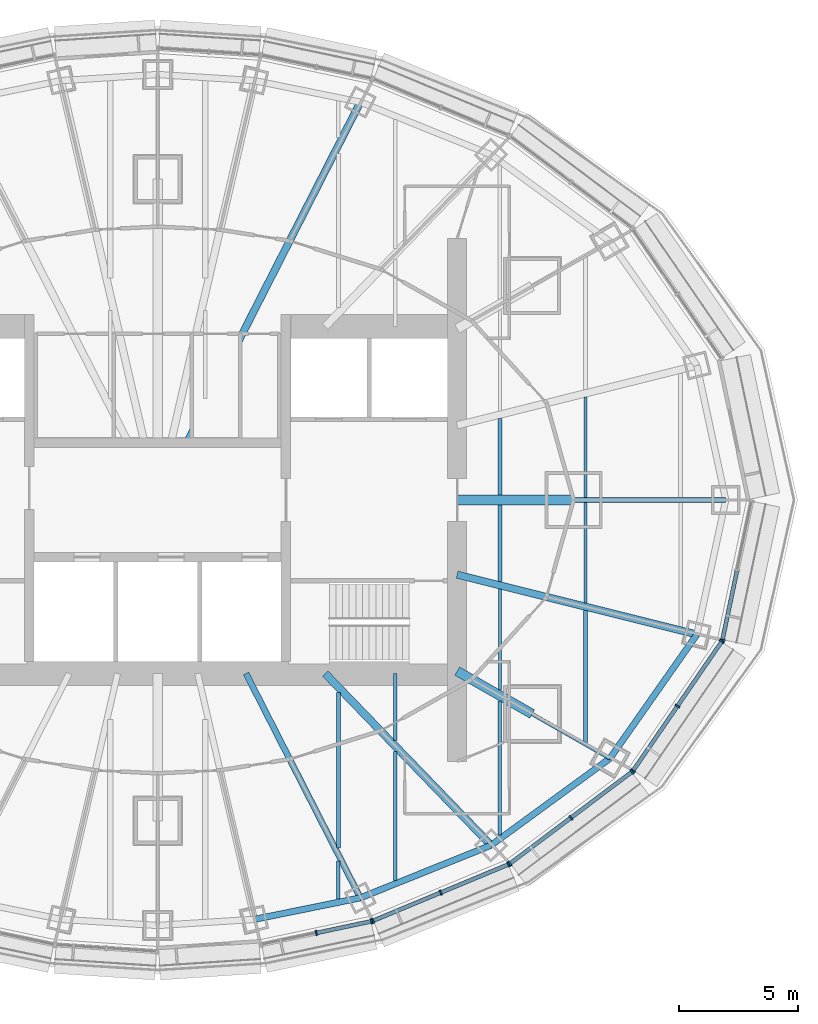
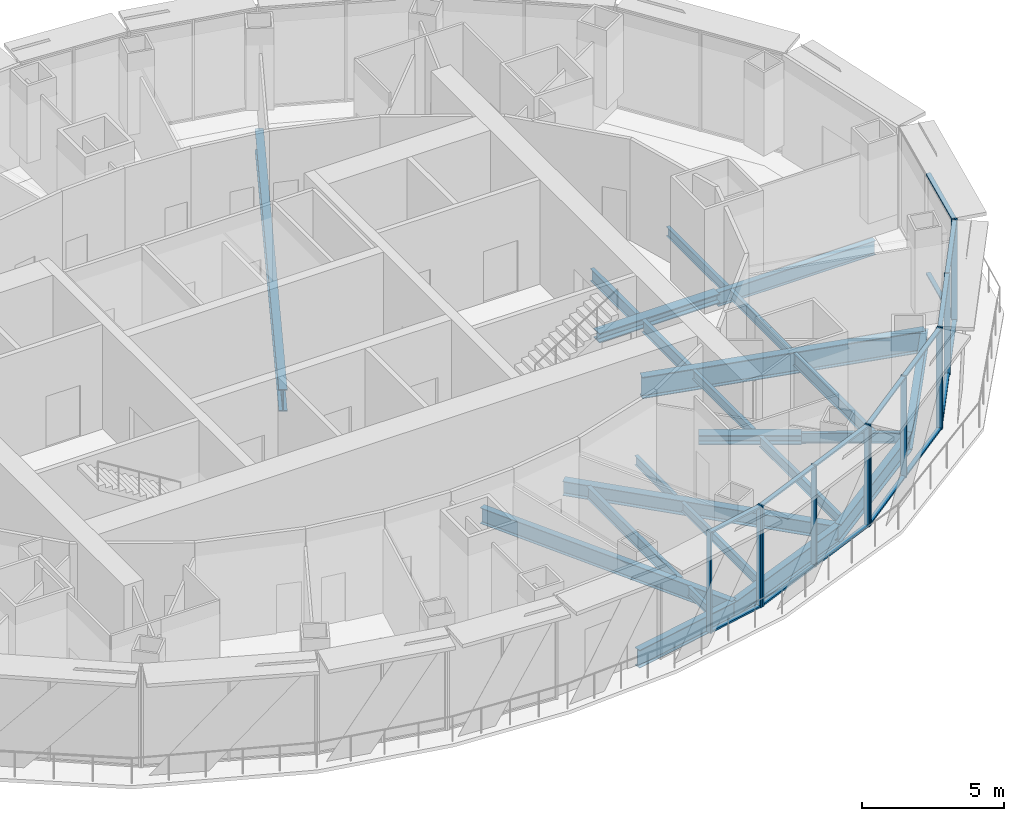
# One storey, part 4 of 17: 28 members, 23 beams, 5 elements without a shape of their own.
"""IFC4 building model written with IfcOpenShell, lengths in metres."""

from ifc_helpers import new_model, si_unit, direction, frame, origin, origin_2d, place, context, subcontext, project, spatial, rectangle, i_section, extrude, material, material_profile, profile_set, type_object, element, aggregate, save


model = new_model("IFC4")

# Units and contexts
model_context = context("Model", 3, precision=1e-05, world=origin(), true_north=direction((0.0, 1.0)))
body_context = subcontext(model_context, "Body", "Model", "MODEL_VIEW")
ifc_project = project(units=[si_unit("LENGTHUNIT", "METRE"), si_unit("AREAUNIT", "SQUARE_METRE"), si_unit("VOLUMEUNIT", "CUBIC_METRE"), si_unit("PLANEANGLEUNIT", "RADIAN"), si_unit("MASSUNIT", "GRAM", prefix="KILO")], contexts=[model_context])

# Site, building, storey
site_placement = place(None, origin())
site = spatial("IfcSite", under=ifc_project, at=site_placement, CompositionType="ELEMENT")
building_placement = place(site_placement, origin())
building = spatial("IfcBuilding", under=site, at=building_placement, Name="Lantaw Convention Tower", CompositionType="ELEMENT")
storey_placement = place(building_placement, frame((0.0, 0.0, 270.39990234375)))
storey = spatial("IfcBuildingStorey", under=building, at=storey_placement, Name="L63", CompositionType="ELEMENT", Elevation=270.39990234375)

# Beams
ifc_material_1 = material(Name="Steel ASTM A992", Category="steel")
ifc_material_profile_1 = material_profile(ifc_material_1, i_section(OverallWidth=0.2666015625, OverallDepth=0.76953125, WebThickness=0.015625, FlangeThickness=0.025390625, FilletRadius=0.0126953125, at=origin_2d()), Name="W30X132")
ifc_profile_set_1 = profile_set([ifc_material_profile_1], Name="Steel ASTM A992")
beam_type_1 = type_object("IfcBeamType", Name="Beam E W30X132", PredefinedType="SPANDREL", material=ifc_profile_set_1)
beam_1_placement = place(storey_placement, frame((4.072998046875, -17.642333984375, -0.53466796875), z_axis=(0.980006466425, 0.198965639657, 0.0), x_axis=(-0.198965639657, 0.980006466425, 0.0)))
element("IfcBeam", 1, at=beam_1_placement, inside=storey, type_object=beam_type_1, Name="Edge beam 20", PredefinedType="SPANDREL", context=body_context, shape_type="SweptSolid", body=[
    extrude(i_section(OverallWidth=0.2666015625, OverallDepth=0.76953125, WebThickness=0.015625, FlangeThickness=0.025390625, FilletRadius=0.0126953125, at=origin_2d()), origin(), (0.0, 0.0, 1.0), 4.546142578125),
])
beam_2_placement = place(storey_placement, frame((8.5283203125, -16.73779296875, -0.53466796875), z_axis=(0.927779110974, 0.373129898615, 0.0), x_axis=(-0.373129898615, 0.927779110974, 0.0)))
element("IfcBeam", 2, at=beam_2_placement, inside=storey, type_object=beam_type_1, Name="Edge beam 21", PredefinedType="SPANDREL", context=body_context, shape_type="SweptSolid", body=[
    extrude(i_section(OverallWidth=0.2666015625, OverallDepth=0.76953125, WebThickness=0.015625, FlangeThickness=0.025390625, FilletRadius=0.0126953125, at=origin_2d()), origin(), (0.0, 0.0, 1.0), 5.92724609375),
])
beam_3_placement = place(storey_placement, frame((14.027587890625, -14.526123046875, -0.53466796875), z_axis=(0.807371616826, 0.59004328006, 0.0), x_axis=(-0.59004328006, 0.807371616826, 0.0)))
element("IfcBeam", 3, at=beam_3_placement, inside=storey, type_object=beam_type_1, Name="Edge beam 22", PredefinedType="SPANDREL", context=body_context, shape_type="SweptSolid", body=[
    extrude(i_section(OverallWidth=0.2666015625, OverallDepth=0.76953125, WebThickness=0.015625, FlangeThickness=0.025390625, FilletRadius=0.0126953125, at=origin_2d()), origin(), (0.0, 0.0, 1.0), 6.192138671875),
])
beam_4_placement = place(storey_placement, frame((19.02685546875, -10.87255859375, -0.53466796875), z_axis=(0.574400527612, 0.81857439117, 0.0), x_axis=(-0.81857439117, 0.574400527612, 0.0)))
element("IfcBeam", 4, at=beam_4_placement, inside=storey, type_object=beam_type_1, Name="Edge beam 23", PredefinedType="SPANDREL", context=body_context, shape_type="SweptSolid", body=[
    extrude(i_section(OverallWidth=0.2666015625, OverallDepth=0.76953125, WebThickness=0.015625, FlangeThickness=0.025390625, FilletRadius=0.0126953125, at=origin_2d()), origin(), (0.0, 0.0, 1.0), 6.3720703125),
])
ifc_material_profile_2 = material_profile(ifc_material_1, i_section(OverallWidth=0.15234375, OverallDepth=0.449462890625, WebThickness=0.007568359375, FlangeThickness=0.0107421875, FilletRadius=0.01025390625, at=origin_2d()), Name="W18X35")
ifc_profile_set_2 = profile_set([ifc_material_profile_2], Name="Steel ASTM A992")
beam_type_2 = type_object("IfcBeamType", Name="Beam G W18X35", PredefinedType="BEAM", material=ifc_profile_set_2)
beam_5_placement = place(storey_placement, frame((15.75, -9.0, -0.374755859375), z_axis=(0.868235180478, -0.496152870978, 0.0), x_axis=(0.496152870978, 0.868235180478, 0.0)))
element("IfcBeam", 5, at=beam_5_placement, inside=storey, type_object=beam_type_2, Name="Floor girder on ray 23", PredefinedType="BEAM", context=body_context, shape_type="SweptSolid", body=[
    extrude(i_section(OverallWidth=0.15234375, OverallDepth=0.449462890625, WebThickness=0.007568359375, FlangeThickness=0.0107421875, FilletRadius=0.01025390625, at=origin_2d()), origin(), (0.0, 0.0, 1.0), 3.774169921875),
])
ifc_material_profile_3 = material_profile(ifc_material_1, i_section(OverallWidth=0.3251953125, OverallDepth=0.612060546875, WebThickness=0.0126953125, FlangeThickness=0.01904296875, FilletRadius=0.0126953125, at=origin_2d()), Name="W24X104")
ifc_profile_set_3 = profile_set([ifc_material_profile_3], Name="Steel ASTM A992")
beam_type_3 = type_object("IfcBeamType", Name="Beam G W24X104", PredefinedType="BEAM", material=ifc_profile_set_3)
beam_6_placement = place(storey_placement, frame((7.049560546875, -7.300048828125, -0.4560546875), z_axis=(0.694652631285, -0.71934534255, 0.0), x_axis=(0.71934534255, 0.694652631285, 0.0)))
element("IfcBeam", 6, at=beam_6_placement, inside=storey, type_object=beam_type_3, Name="Floor girder on ray 22", PredefinedType="BEAM", context=body_context, shape_type="SweptSolid", body=[
    extrude(i_section(OverallWidth=0.3251953125, OverallDepth=0.612060546875, WebThickness=0.0126953125, FlangeThickness=0.01904296875, FilletRadius=0.0126953125, at=origin_2d()), origin(), (0.0, 0.0, 1.0), 10.04541015625),
])
ifc_material_profile_4 = material_profile(ifc_material_1, i_section(OverallWidth=0.22900390625, OverallDepth=0.612060546875, WebThickness=0.011962890625, FlangeThickness=0.01953125, FilletRadius=0.0126953125, at=origin_2d()), Name="W24X84")
ifc_profile_set_4 = profile_set([ifc_material_profile_4], Name="Steel ASTM A992")
beam_type_4 = type_object("IfcBeamType", Name="Beam G W24X84", PredefinedType="BEAM", material=ifc_profile_set_4)
beam_7_placement = place(storey_placement, frame((17.5, 0.0, -0.4560546875), z_axis=(1.0, 0.0, 0.0), x_axis=(0.0, 1.0, 0.0)))
element("IfcBeam", 7, at=beam_7_placement, inside=storey, type_object=beam_type_4, Name="Floor girder on ray 1", PredefinedType="BEAM", context=body_context, shape_type="SweptSolid", body=[
    extrude(i_section(OverallWidth=0.22900390625, OverallDepth=0.612060546875, WebThickness=0.011962890625, FlangeThickness=0.01953125, FilletRadius=0.0126953125, at=origin_2d()), origin(), (0.0, 0.0, 1.0), 6.39990234375),
])
ifc_material_profile_5 = material_profile(ifc_material_1, i_section(OverallWidth=0.25390625, OverallDepth=0.683349609375, WebThickness=0.012451171875, FlangeThickness=0.01904296875, FilletRadius=0.01513671875, at=origin_2d()), Name="W27X94")
ifc_profile_set_5 = profile_set([ifc_material_profile_5], Name="Steel ASTM A992")
beam_type_5 = type_object("IfcBeamType", Name="Beam G W27X94", PredefinedType="BEAM", material=ifc_profile_set_5)
beam_8_placement = place(storey_placement, frame((3.719482421875, -7.300048828125, -0.491455078125), z_axis=(0.453995526284, -0.891003963018, 0.0), x_axis=(0.891003963018, 0.453995526284, 0.0)))
element("IfcBeam", 8, at=beam_8_placement, inside=storey, type_object=beam_type_5, Name="Floor girder on ray 21", PredefinedType="BEAM", context=body_context, shape_type="SweptSolid", body=[
    extrude(i_section(OverallWidth=0.25390625, OverallDepth=0.683349609375, WebThickness=0.012451171875, FlangeThickness=0.01904296875, FilletRadius=0.01513671875, at=origin_2d()), origin(), (0.0, 0.0, 1.0), 10.59228515625),
])
ifc_material_profile_6 = material_profile(ifc_material_1, i_section(OverallWidth=0.307373046875, OverallDepth=0.922119140625, WebThickness=0.018310546875, FlangeThickness=0.030029296875, FilletRadius=0.0126953125, at=origin_2d()), Name="W36X182")
ifc_profile_set_6 = profile_set([ifc_material_profile_6], Name="Steel ASTM A992")
beam_type_6 = type_object("IfcBeamType", Name="Beam G W36X182", PredefinedType="BEAM", material=ifc_profile_set_6)
beam_9_placement = place(storey_placement, frame((12.60009765625, -3.1416015625, -0.61083984375), z_axis=(0.97029702597, -0.241916682751, 0.0), x_axis=(0.241916682751, 0.97029702597, 0.0)))
element("IfcBeam", 9, at=beam_9_placement, inside=storey, type_object=beam_type_6, Name="Floor girder on ray 24", PredefinedType="BEAM", context=body_context, shape_type="SweptSolid", body=[
    extrude(i_section(OverallWidth=0.307373046875, OverallDepth=0.922119140625, WebThickness=0.018310546875, FlangeThickness=0.030029296875, FilletRadius=0.0126953125, at=origin_2d()), origin(), (0.0, 0.0, 1.0), 10.395751953125),
])
ifc_material_profile_7 = material_profile(ifc_material_1, i_section(OverallWidth=0.307373046875, OverallDepth=0.9423828125, WebThickness=0.022216796875, FlangeThickness=0.039794921875, FilletRadius=0.0126953125, at=origin_2d()), Name="W36X232")
ifc_profile_set_7 = profile_set([ifc_material_profile_7], Name="Steel ASTM A992")
beam_type_7 = type_object("IfcBeamType", Name="Beam G W36X232", PredefinedType="BEAM", material=ifc_profile_set_7)
beam_10_placement = place(storey_placement, frame((1.222900390625, 2.39990234375, -0.62109375), z_axis=(0.453985554173, 0.891009044063, 0.0), x_axis=(-0.891009044063, 0.453985554173, 0.0)))
element("IfcBeam", 10, at=beam_10_placement, inside=storey, type_object=beam_type_7, Name="Floor girder on ray 5", PredefinedType="BEAM", context=body_context, shape_type="SweptSolid", body=[
    extrude(i_section(OverallWidth=0.307373046875, OverallDepth=0.9423828125, WebThickness=0.022216796875, FlangeThickness=0.039794921875, FilletRadius=0.0126953125, at=origin_2d()), origin(), (0.0, 0.0, 1.0), 16.091796875),
])
ifc_material_profile_8 = material_profile(ifc_material_1, i_section(OverallWidth=0.40380859375, OverallDepth=0.406494140625, WebThickness=0.027099609375, FlangeThickness=0.043701171875, FilletRadius=0.01513671875, at=origin_2d()), Name="W14X233")
ifc_profile_set_8 = profile_set([ifc_material_profile_8], Name="Steel ASTM A992")
beam_type_8 = type_object("IfcBeamType", Name="Beam GM W14X233", PredefinedType="BEAM", material=ifc_profile_set_8)
beam_11_placement = place(storey_placement, frame((12.60009765625, 0.0, -0.35302734375), z_axis=(1.0, 0.0, 0.0), x_axis=(0.0, 1.0, 0.0)))
element("IfcBeam", 11, at=beam_11_placement, inside=storey, type_object=beam_type_8, Name="Core link beam on ray 1", PredefinedType="BEAM", context=body_context, shape_type="SweptSolid", body=[
    extrude(i_section(OverallWidth=0.40380859375, OverallDepth=0.406494140625, WebThickness=0.027099609375, FlangeThickness=0.043701171875, FilletRadius=0.01513671875, at=origin_2d()), origin(), (0.0, 0.0, 1.0), 4.89990234375),
])
beam_12_placement = place(storey_placement, frame((12.60009765625, -7.199951171875, -0.35302734375), z_axis=(0.868230718294, -0.496160679428, 0.0), x_axis=(0.496160679428, 0.868230718294, 0.0)))
element("IfcBeam", 12, at=beam_12_placement, inside=storey, type_object=beam_type_8, Name="Core link beam on ray 23", PredefinedType="BEAM", context=body_context, shape_type="SweptSolid", body=[
    extrude(i_section(OverallWidth=0.40380859375, OverallDepth=0.406494140625, WebThickness=0.027099609375, FlangeThickness=0.043701171875, FilletRadius=0.01513671875, at=origin_2d()), origin(), (0.0, 0.0, 1.0), 3.6279296875),
])
ifc_material_profile_9 = material_profile(ifc_material_1, i_section(OverallWidth=0.140380859375, OverallDepth=0.40380859375, WebThickness=0.007080078125, FlangeThickness=0.01123046875, FilletRadius=0.01025390625, at=origin_2d()), Name="W16X31")
ifc_profile_set_9 = profile_set([ifc_material_profile_9], Name="Steel ASTM A992")
beam_type_9 = type_object("IfcBeamType", Name="Beam J W16X31", PredefinedType="JOIST", material=ifc_profile_set_9)
beam_13_placement = place(storey_placement, frame((7.60009765625, -16.790283203125, -0.351806640625), z_axis=(0.0, 1.0, 0.0), x_axis=(-1.0, 0.0, 0.0)))
element("IfcBeam", 13, at=beam_13_placement, inside=storey, type_object=beam_type_9, Name="Floor joist", PredefinedType="JOIST", context=body_context, shape_type="SweptSolid", body=[
    extrude(i_section(OverallWidth=0.140380859375, OverallDepth=0.40380859375, WebThickness=0.007080078125, FlangeThickness=0.01123046875, FilletRadius=0.01025390625, at=origin_2d()), origin(), (0.0, 0.0, 1.0), 1.5947265625),
])
beam_14_placement = place(storey_placement, frame((10.0, -16.002197265625, -0.351806640625), z_axis=(0.0, 1.0, 0.0), x_axis=(-1.0, 0.0, 0.0)))
element("IfcBeam", 14, at=beam_14_placement, inside=storey, type_object=beam_type_9, Name="Floor joist", PredefinedType="JOIST", context=body_context, shape_type="SweptSolid", body=[
    extrude(i_section(OverallWidth=0.140380859375, OverallDepth=0.40380859375, WebThickness=0.007080078125, FlangeThickness=0.01123046875, FilletRadius=0.01025390625, at=origin_2d()), origin(), (0.0, 0.0, 1.0), 5.412841796875),
])
beam_15_placement = place(storey_placement, frame((10.0, -10.121337890625, -0.351806640625), z_axis=(0.0, 1.0, 0.0), x_axis=(-1.0, 0.0, 0.0)))
element("IfcBeam", 15, at=beam_15_placement, inside=storey, type_object=beam_type_9, Name="Floor joist", PredefinedType="JOIST", context=body_context, shape_type="SweptSolid", body=[
    extrude(i_section(OverallWidth=0.140380859375, OverallDepth=0.40380859375, WebThickness=0.007080078125, FlangeThickness=0.01123046875, FilletRadius=0.01025390625, at=origin_2d()), origin(), (0.0, 0.0, 1.0), 2.8212890625),
])
beam_16_placement = place(storey_placement, frame((14.39990234375, -7.99609375, -0.351806640625), z_axis=(0.0, 1.0, 0.0), x_axis=(-1.0, 0.0, 0.0)))
element("IfcBeam", 16, at=beam_16_placement, inside=storey, type_object=beam_type_9, Name="Floor joist", PredefinedType="JOIST", context=body_context, shape_type="SweptSolid", body=[
    extrude(i_section(OverallWidth=0.140380859375, OverallDepth=0.40380859375, WebThickness=0.007080078125, FlangeThickness=0.01123046875, FilletRadius=0.01025390625, at=origin_2d()), origin(), (0.0, 0.0, 1.0), 4.247314453125),
])
for number, where, z_axis, x_axis, name in (
    (17, (18.0, -4.32958984375, -0.351806640625), (0.0, 1.0, 0.0), (-1.0, 0.0, 0.0), "Floor joist"),
    (18, (18.0, 0.114501953125, -0.351806640625), (0.0, 1.0, 0.0), (-1.0, 0.0, 0.0), "Floor joist"),
):
    element("IfcBeam", number, at=place(storey_placement, frame(where, z_axis=z_axis, x_axis=x_axis)), inside=storey, type_object=beam_type_9, Name=name, PredefinedType="JOIST", context=body_context, shape_type="SweptSolid", body=[
        extrude(i_section(OverallWidth=0.140380859375, OverallDepth=0.40380859375, WebThickness=0.007080078125, FlangeThickness=0.01123046875, FilletRadius=0.01025390625, at=origin_2d()), origin(), (0.0, 0.0, 1.0), 4.215087890625),
    ])
ifc_material_profile_10 = material_profile(ifc_material_1, i_section(OverallWidth=0.15234375, OverallDepth=0.449462890625, WebThickness=0.007568359375, FlangeThickness=0.0107421875, FilletRadius=0.01025390625, at=origin_2d()), Name="W18X35")
ifc_profile_set_10 = profile_set([ifc_material_profile_10], Name="Steel ASTM A992")
beam_type_10 = type_object("IfcBeamType", Name="Beam J W18X35", PredefinedType="JOIST", material=ifc_profile_set_10)
beam_17_placement = place(storey_placement, frame((14.39990234375, -14.0888671875, -0.374755859375), z_axis=(0.0, 1.0, 0.0), x_axis=(-1.0, 0.0, 0.0)))
element("IfcBeam", 19, at=beam_17_placement, inside=storey, type_object=beam_type_10, Name="Floor joist", PredefinedType="JOIST", context=body_context, shape_type="SweptSolid", body=[
    extrude(i_section(OverallWidth=0.15234375, OverallDepth=0.449462890625, WebThickness=0.007568359375, FlangeThickness=0.0107421875, FilletRadius=0.01025390625, at=origin_2d()), origin(), (0.0, 0.0, 1.0), 5.627685546875),
])
ifc_material_profile_11 = material_profile(ifc_material_1, i_section(OverallWidth=0.1650390625, OverallDepth=0.52587890625, WebThickness=0.0087890625, FlangeThickness=0.011474609375, FilletRadius=0.0126953125, at=origin_2d()), Name="W21X44")
ifc_profile_set_11 = profile_set([ifc_material_profile_11], Name="Steel ASTM A992")
beam_type_11 = type_object("IfcBeamType", Name="Beam J W21X44", PredefinedType="JOIST", material=ifc_profile_set_11)
beam_18_placement = place(storey_placement, frame((7.60009765625, -14.635986328125, -0.412841796875), z_axis=(0.0, 1.0, 0.0), x_axis=(-1.0, 0.0, 0.0)))
element("IfcBeam", 20, at=beam_18_placement, inside=storey, type_object=beam_type_11, Name="Floor joist", PredefinedType="JOIST", context=body_context, shape_type="SweptSolid", body=[
    extrude(i_section(OverallWidth=0.1650390625, OverallDepth=0.52587890625, WebThickness=0.0087890625, FlangeThickness=0.011474609375, FilletRadius=0.0126953125, at=origin_2d()), origin(), (0.0, 0.0, 1.0), 6.531982421875),
])
for number, where, z_axis, x_axis, name in (
    (21, (14.39990234375, -3.431884765625, -0.412841796875), (0.0, 1.0, 0.0), (-1.0, 0.0, 0.0), "Floor joist"),
    (22, (14.39990234375, 0.201904296875, -0.412841796875), (0.0, 1.0, 0.0), (-1.0, 0.0, 0.0), "Floor joist"),
):
    element("IfcBeam", number, at=place(storey_placement, frame(where, z_axis=z_axis, x_axis=x_axis)), inside=storey, type_object=beam_type_11, Name=name, PredefinedType="JOIST", context=body_context, shape_type="SweptSolid", body=[
        extrude(i_section(OverallWidth=0.1650390625, OverallDepth=0.52587890625, WebThickness=0.0087890625, FlangeThickness=0.011474609375, FilletRadius=0.0126953125, at=origin_2d()), origin(), (0.0, 0.0, 1.0), 3.22998046875),
    ])
ifc_material_profile_12 = material_profile(ifc_material_1, i_section(OverallWidth=0.165771484375, OverallDepth=0.5283203125, WebThickness=0.009765625, FlangeThickness=0.013671875, FilletRadius=0.012939453125, at=origin_2d()), Name="W21X50")
ifc_profile_set_12 = profile_set([ifc_material_profile_12], Name="Steel ASTM A992")
beam_type_12 = type_object("IfcBeamType", Name="Beam J W21X50", PredefinedType="JOIST", material=ifc_profile_set_12)
beam_19_placement = place(storey_placement, frame((18.0, -10.197998046875, -0.4140625), z_axis=(0.0, 1.0, 0.0), x_axis=(-1.0, 0.0, 0.0)))
element("IfcBeam", 23, at=beam_19_placement, inside=storey, type_object=beam_type_12, Name="Floor joist", PredefinedType="JOIST", context=body_context, shape_type="SweptSolid", body=[
    extrude(i_section(OverallWidth=0.165771484375, OverallDepth=0.5283203125, WebThickness=0.009765625, FlangeThickness=0.013671875, FilletRadius=0.012939453125, at=origin_2d()), origin(), (0.0, 0.0, 1.0), 5.5517578125),
])

# Curtain wall, members
ifc_material_2 = material(Name="Aluminium framed curtain wall", Category="aluminium")
curtain_wall_type = type_object("IfcCurtainWallType", Name="Executive floors curtain wall, pale aluminium", PredefinedType="USERDEFINED", material=ifc_material_2)
curtain_wall_1_placement = place(storey_placement, origin())
curtain_wall_1 = element("IfcCurtainWall", 24, at=curtain_wall_1_placement, inside=storey, type_object=curtain_wall_type, Name="Executive floors curtain wall, pale aluminium L63", ObjectType="UNITISED CURTAIN WALL", PredefinedType="USERDEFINED")
ifc_material_3 = material(Name="Aluminium 6063-T6", Category="aluminium")
ifc_material_profile_13 = material_profile(ifc_material_3, rectangle(XDim=0.219970703125, YDim=0.070068359375, at=origin_2d()), Name="CW-T mullion 70x220")
ifc_profile_set_13 = profile_set([ifc_material_profile_13], Name="Aluminium 6063-T6")
member_type_1 = type_object("IfcMemberType", Name="CW-T mullion 70x220", PredefinedType="MULLION", material=ifc_profile_set_13)
member_1_placement = place(storey_placement, frame((6.674072265625, -18.216064453125, 0.0), z_axis=(0.0, 0.0, 1.0), x_axis=(-0.207039911975, 0.978332497083, 0.0)))
member_1 = element("IfcMember", 25, at=member_1_placement, type_object=member_type_1, Name="CW-T mullion 2", PredefinedType="MULLION", context=body_context, shape_type="SweptSolid", body=[
    extrude(rectangle(XDim=0.219970703125, YDim=0.070068359375, at=origin_2d()), origin(), (0.0, 0.0, 1.0), 4.35009765625),
])
member_2_placement = place(storey_placement, frame((8.993408203125, -17.72509765625, 0.0), z_axis=(0.0, 0.0, 1.0), x_axis=(-0.207039911975, 0.978332497083, 0.0)))
member_2 = element("IfcMember", 26, at=member_2_placement, type_object=member_type_1, Name="CW-T mullion 3", PredefinedType="MULLION", context=body_context, shape_type="SweptSolid", body=[
    extrude(rectangle(XDim=0.219970703125, YDim=0.070068359375, at=origin_2d()), origin(), (0.0, 0.0, 1.0), 4.35009765625),
])

curtain_wall_2_placement = place(storey_placement, origin())
curtain_wall_2 = element("IfcCurtainWall", 27, at=curtain_wall_2_placement, inside=storey, type_object=curtain_wall_type, Name="Executive floors curtain wall, pale aluminium L63", ObjectType="UNITISED CURTAIN WALL", PredefinedType="USERDEFINED")
member_3_placement = place(storey_placement, frame((9.06005859375, -17.70458984375, 0.0), z_axis=(0.0, 0.0, 1.0), x_axis=(-0.384459697924, 0.923141777124, 0.0)))
member_3 = element("IfcMember", 28, at=member_3_placement, type_object=member_type_1, Name="CW-T mullion 1", PredefinedType="MULLION", context=body_context, shape_type="SweptSolid", body=[
    extrude(rectangle(XDim=0.219970703125, YDim=0.070068359375, at=origin_2d()), origin(), (0.0, 0.0, 1.0), 4.35009765625),
])
member_4_placement = place(storey_placement, frame((11.90966796875, -16.517578125, 0.0), z_axis=(0.0, 0.0, 1.0), x_axis=(-0.384459697924, 0.923141777124, 0.0)))
member_4 = element("IfcMember", 29, at=member_4_placement, type_object=member_type_1, Name="CW-T mullion 2", PredefinedType="MULLION", context=body_context, shape_type="SweptSolid", body=[
    extrude(rectangle(XDim=0.219970703125, YDim=0.070068359375, at=origin_2d()), origin(), (0.0, 0.0, 1.0), 4.35009765625),
])
member_5_placement = place(storey_placement, frame((14.759521484375, -15.330810546875, 0.0), z_axis=(0.0, 0.0, 1.0), x_axis=(-0.384459697924, 0.923141777124, 0.0)))
member_5 = element("IfcMember", 30, at=member_5_placement, type_object=member_type_1, Name="CW-T mullion 3", PredefinedType="MULLION", context=body_context, shape_type="SweptSolid", body=[
    extrude(rectangle(XDim=0.219970703125, YDim=0.070068359375, at=origin_2d()), origin(), (0.0, 0.0, 1.0), 4.35009765625),
])

curtain_wall_3_placement = place(storey_placement, origin())
curtain_wall_3 = element("IfcCurtainWall", 31, at=curtain_wall_3_placement, inside=storey, type_object=curtain_wall_type, Name="Executive floors curtain wall, pale aluminium L63", ObjectType="UNITISED CURTAIN WALL", PredefinedType="USERDEFINED")
member_6_placement = place(storey_placement, frame((14.81982421875, -15.29638671875, 0.0), z_axis=(0.0, 0.0, 1.0), x_axis=(-0.600642756762, 0.799517528732, 0.0)))
member_6 = element("IfcMember", 32, at=member_6_placement, type_object=member_type_1, Name="CW-T mullion 1", PredefinedType="MULLION", context=body_context, shape_type="SweptSolid", body=[
    extrude(rectangle(XDim=0.219970703125, YDim=0.070068359375, at=origin_2d()), origin(), (0.0, 0.0, 1.0), 4.35009765625),
])
member_7_placement = place(storey_placement, frame((17.386962890625, -13.367919921875, 0.0), z_axis=(0.0, 0.0, 1.0), x_axis=(-0.600642756762, 0.799517528732, 0.0)))
member_7 = element("IfcMember", 33, at=member_7_placement, type_object=member_type_1, Name="CW-T mullion 2", PredefinedType="MULLION", context=body_context, shape_type="SweptSolid", body=[
    extrude(rectangle(XDim=0.219970703125, YDim=0.070068359375, at=origin_2d()), origin(), (0.0, 0.0, 1.0), 4.35009765625),
])
member_8_placement = place(storey_placement, frame((19.953857421875, -11.439208984375, 0.0), z_axis=(0.0, 0.0, 1.0), x_axis=(-0.600642756762, 0.799517528732, 0.0)))
member_8 = element("IfcMember", 34, at=member_8_placement, type_object=member_type_1, Name="CW-T mullion 3", PredefinedType="MULLION", context=body_context, shape_type="SweptSolid", body=[
    extrude(rectangle(XDim=0.219970703125, YDim=0.070068359375, at=origin_2d()), origin(), (0.0, 0.0, 1.0), 4.35009765625),
])

curtain_wall_4_placement = place(storey_placement, origin())
curtain_wall_4 = element("IfcCurtainWall", 35, at=curtain_wall_4_placement, inside=storey, type_object=curtain_wall_type, Name="Executive floors curtain wall, pale aluminium L63", ObjectType="UNITISED CURTAIN WALL", PredefinedType="USERDEFINED")
member_9_placement = place(storey_placement, frame((20.001708984375, -11.389404296875, 0.0), z_axis=(0.0, 0.0, 1.0), x_axis=(-0.824449977189, 0.565934832921, 0.0)))
member_9 = element("IfcMember", 36, at=member_9_placement, type_object=member_type_1, Name="CW-T mullion 1", PredefinedType="MULLION", context=body_context, shape_type="SweptSolid", body=[
    extrude(rectangle(XDim=0.219970703125, YDim=0.070068359375, at=origin_2d()), origin(), (0.0, 0.0, 1.0), 4.35009765625),
])
member_10_placement = place(storey_placement, frame((21.8681640625, -8.67041015625, 0.0), z_axis=(0.0, 0.0, 1.0), x_axis=(-0.824449977189, 0.565934832921, 0.0)))
member_10 = element("IfcMember", 37, at=member_10_placement, type_object=member_type_1, Name="CW-T mullion 2", PredefinedType="MULLION", context=body_context, shape_type="SweptSolid", body=[
    extrude(rectangle(XDim=0.219970703125, YDim=0.070068359375, at=origin_2d()), origin(), (0.0, 0.0, 1.0), 4.35009765625),
])
member_11_placement = place(storey_placement, frame((23.734619140625, -5.951416015625, 0.0), z_axis=(0.0, 0.0, 1.0), x_axis=(-0.824449977189, 0.565934832921, 0.0)))
member_11 = element("IfcMember", 38, at=member_11_placement, type_object=member_type_1, Name="CW-T mullion 3", PredefinedType="MULLION", context=body_context, shape_type="SweptSolid", body=[
    extrude(rectangle(XDim=0.219970703125, YDim=0.070068359375, at=origin_2d()), origin(), (0.0, 0.0, 1.0), 4.35009765625),
])

# Curtain wall, member
curtain_wall_5_placement = place(storey_placement, origin())
curtain_wall_5 = element("IfcCurtainWall", 39, at=curtain_wall_5_placement, inside=storey, type_object=curtain_wall_type, Name="Executive floors curtain wall, pale aluminium L63", ObjectType="UNITISED CURTAIN WALL", PredefinedType="USERDEFINED")
member_12_placement = place(storey_placement, frame((23.761474609375, -5.888427734375, 0.0), z_axis=(0.0, 0.0, 1.0), x_axis=(-0.978591117263, 0.205814054946, 0.0)))
member_12 = element("IfcMember", 40, at=member_12_placement, type_object=member_type_1, Name="CW-T mullion 1", PredefinedType="MULLION", context=body_context, shape_type="SweptSolid", body=[
    extrude(rectangle(XDim=0.219970703125, YDim=0.070068359375, at=origin_2d()), origin(), (0.0, 0.0, 1.0), 4.35009765625),
])

# Member
ifc_material_profile_14 = material_profile(ifc_material_3, rectangle(XDim=0.169921875, YDim=0.070068359375, at=origin_2d()), Name="CW-T transom 70x170")
ifc_profile_set_14 = profile_set([ifc_material_profile_14], Name="Aluminium 6063-T6")
member_type_2 = type_object("IfcMemberType", Name="CW-T transom 70x170", PredefinedType="USERDEFINED", material=ifc_profile_set_14)
member_13_placement = place(storey_placement, frame((6.708251953125, -18.208740234375, 0.03515625), z_axis=(0.978336479598, 0.207021092375, 0.0), x_axis=(-0.207021092375, 0.978336479598, 0.0)))
member_13 = element("IfcMember", 41, at=member_13_placement, type_object=member_type_2, Name="CW-T transom 2.1", ObjectType="TRANSOM", PredefinedType="USERDEFINED", context=body_context, shape_type="SweptSolid", body=[
    extrude(rectangle(XDim=0.169921875, YDim=0.070068359375, at=origin_2d()), origin(), (0.0, 0.0, 1.0), 2.30078125),
])

member_14_placement = place(storey_placement, frame((6.708251953125, -18.208740234375, 4.315185546875), z_axis=(0.978336479598, 0.207021092375, 0.0), x_axis=(-0.207021092375, 0.978336479598, 0.0)))
member_14 = element("IfcMember", 42, at=member_14_placement, type_object=member_type_2, Name="CW-T transom 2.2", ObjectType="TRANSOM", PredefinedType="USERDEFINED", context=body_context, shape_type="SweptSolid", body=[
    extrude(rectangle(XDim=0.169921875, YDim=0.070068359375, at=origin_2d()), origin(), (0.0, 0.0, 1.0), 2.30078125),
])

aggregate(curtain_wall_1, [member_1, member_2, member_13, member_14])

member_15_placement = place(storey_placement, frame((9.09228515625, -17.69091796875, 0.03515625), z_axis=(0.923143943999, 0.384454494911, 0.0), x_axis=(-0.384454494911, 0.923143943999, 0.0)))
member_15 = element("IfcMember", 43, at=member_15_placement, type_object=member_type_2, Name="CW-T transom 1.1", ObjectType="TRANSOM", PredefinedType="USERDEFINED", context=body_context, shape_type="SweptSolid", body=[
    extrude(rectangle(XDim=0.169921875, YDim=0.070068359375, at=origin_2d()), origin(), (0.0, 0.0, 1.0), 3.01708984375),
])

member_16_placement = place(storey_placement, frame((9.09228515625, -17.69091796875, 4.315185546875), z_axis=(0.923143943999, 0.384454494911, 0.0), x_axis=(-0.384454494911, 0.923143943999, 0.0)))
member_16 = element("IfcMember", 44, at=member_16_placement, type_object=member_type_2, Name="CW-T transom 1.2", ObjectType="TRANSOM", PredefinedType="USERDEFINED", context=body_context, shape_type="SweptSolid", body=[
    extrude(rectangle(XDim=0.169921875, YDim=0.070068359375, at=origin_2d()), origin(), (0.0, 0.0, 1.0), 3.01708984375),
])

member_17_placement = place(storey_placement, frame((11.942138671875, -16.504150390625, 0.03515625), z_axis=(0.923143943999, 0.384454494911, 0.0), x_axis=(-0.384454494911, 0.923143943999, 0.0)))
member_17 = element("IfcMember", 45, at=member_17_placement, type_object=member_type_2, Name="CW-T transom 2.1", ObjectType="TRANSOM", PredefinedType="USERDEFINED", context=body_context, shape_type="SweptSolid", body=[
    extrude(rectangle(XDim=0.169921875, YDim=0.070068359375, at=origin_2d()), origin(), (0.0, 0.0, 1.0), 3.01708984375),
])

member_18_placement = place(storey_placement, frame((11.942138671875, -16.504150390625, 4.315185546875), z_axis=(0.923143943999, 0.384454494911, 0.0), x_axis=(-0.384454494911, 0.923143943999, 0.0)))
member_18 = element("IfcMember", 46, at=member_18_placement, type_object=member_type_2, Name="CW-T transom 2.2", ObjectType="TRANSOM", PredefinedType="USERDEFINED", context=body_context, shape_type="SweptSolid", body=[
    extrude(rectangle(XDim=0.169921875, YDim=0.070068359375, at=origin_2d()), origin(), (0.0, 0.0, 1.0), 3.01708984375),
])

aggregate(curtain_wall_2, [member_3, member_4, member_5, member_15, member_16, member_17, member_18])

member_19_placement = place(storey_placement, frame((14.847900390625, -15.275390625, 0.03515625), z_axis=(0.799505333284, 0.600658989819, 0.0), x_axis=(-0.600658989819, 0.799505333284, 0.0)))
member_19 = element("IfcMember", 47, at=member_19_placement, type_object=member_type_2, Name="CW-T transom 1.1", ObjectType="TRANSOM", PredefinedType="USERDEFINED", context=body_context, shape_type="SweptSolid", body=[
    extrude(rectangle(XDim=0.169921875, YDim=0.070068359375, at=origin_2d()), origin(), (0.0, 0.0, 1.0), 3.140625),
])

member_20_placement = place(storey_placement, frame((14.847900390625, -15.275390625, 4.315185546875), z_axis=(0.799505333284, 0.600658989819, 0.0), x_axis=(-0.600658989819, 0.799505333284, 0.0)))
member_20 = element("IfcMember", 48, at=member_20_placement, type_object=member_type_2, Name="CW-T transom 1.2", ObjectType="TRANSOM", PredefinedType="USERDEFINED", context=body_context, shape_type="SweptSolid", body=[
    extrude(rectangle(XDim=0.169921875, YDim=0.070068359375, at=origin_2d()), origin(), (0.0, 0.0, 1.0), 3.140625),
])

member_21_placement = place(storey_placement, frame((17.414794921875, -13.346923828125, 0.03515625), z_axis=(0.799496049611, 0.600671346626, 0.0), x_axis=(-0.600671346626, 0.799496049611, 0.0)))
member_21 = element("IfcMember", 49, at=member_21_placement, type_object=member_type_2, Name="CW-T transom 2.1", ObjectType="TRANSOM", PredefinedType="USERDEFINED", context=body_context, shape_type="SweptSolid", body=[
    extrude(rectangle(XDim=0.169921875, YDim=0.070068359375, at=origin_2d()), origin(), (0.0, 0.0, 1.0), 3.14111328125),
])

member_22_placement = place(storey_placement, frame((17.414794921875, -13.346923828125, 4.315185546875), z_axis=(0.799496049611, 0.600671346626, 0.0), x_axis=(-0.600671346626, 0.799496049611, 0.0)))
member_22 = element("IfcMember", 50, at=member_22_placement, type_object=member_type_2, Name="CW-T transom 2.2", ObjectType="TRANSOM", PredefinedType="USERDEFINED", context=body_context, shape_type="SweptSolid", body=[
    extrude(rectangle(XDim=0.169921875, YDim=0.070068359375, at=origin_2d()), origin(), (0.0, 0.0, 1.0), 3.14111328125),
])

aggregate(curtain_wall_3, [member_6, member_7, member_8, member_19, member_20, member_21, member_22])

member_23_placement = place(storey_placement, frame((20.021484375, -11.360595703125, 0.03515625), z_axis=(0.56594129057, 0.824445544368, 0.0), x_axis=(-0.824445544368, 0.56594129057, 0.0)))
member_23 = element("IfcMember", 51, at=member_23_placement, type_object=member_type_2, Name="CW-T transom 1.1", ObjectType="TRANSOM", PredefinedType="USERDEFINED", context=body_context, shape_type="SweptSolid", body=[
    extrude(rectangle(XDim=0.169921875, YDim=0.070068359375, at=origin_2d()), origin(), (0.0, 0.0, 1.0), 3.22802734375),
])

member_24_placement = place(storey_placement, frame((20.021484375, -11.360595703125, 4.315185546875), z_axis=(0.56594129057, 0.824445544368, 0.0), x_axis=(-0.824445544368, 0.56594129057, 0.0)))
member_24 = element("IfcMember", 52, at=member_24_placement, type_object=member_type_2, Name="CW-T transom 1.2", ObjectType="TRANSOM", PredefinedType="USERDEFINED", context=body_context, shape_type="SweptSolid", body=[
    extrude(rectangle(XDim=0.169921875, YDim=0.070068359375, at=origin_2d()), origin(), (0.0, 0.0, 1.0), 3.22802734375),
])

member_25_placement = place(storey_placement, frame((21.887939453125, -8.6416015625, 0.03515625), z_axis=(0.56594129057, 0.824445544368, 0.0), x_axis=(-0.824445544368, 0.56594129057, 0.0)))
member_25 = element("IfcMember", 53, at=member_25_placement, type_object=member_type_2, Name="CW-T transom 2.1", ObjectType="TRANSOM", PredefinedType="USERDEFINED", context=body_context, shape_type="SweptSolid", body=[
    extrude(rectangle(XDim=0.169921875, YDim=0.070068359375, at=origin_2d()), origin(), (0.0, 0.0, 1.0), 3.22802734375),
])

member_26_placement = place(storey_placement, frame((21.887939453125, -8.6416015625, 4.315185546875), z_axis=(0.56594129057, 0.824445544368, 0.0), x_axis=(-0.824445544368, 0.56594129057, 0.0)))
member_26 = element("IfcMember", 54, at=member_26_placement, type_object=member_type_2, Name="CW-T transom 2.2", ObjectType="TRANSOM", PredefinedType="USERDEFINED", context=body_context, shape_type="SweptSolid", body=[
    extrude(rectangle(XDim=0.169921875, YDim=0.070068359375, at=origin_2d()), origin(), (0.0, 0.0, 1.0), 3.22802734375),
])

aggregate(curtain_wall_4, [member_9, member_10, member_11, member_23, member_24, member_25, member_26])

member_27_placement = place(storey_placement, frame((23.768798828125, -5.854248046875, 0.03515625), z_axis=(0.205766173106, 0.978601186391, 0.0), x_axis=(-0.978601186391, 0.205766173106, 0.0)))
member_27 = element("IfcMember", 55, at=member_27_placement, type_object=member_type_2, Name="CW-T transom 1.1", ObjectType="TRANSOM", PredefinedType="USERDEFINED", context=body_context, shape_type="SweptSolid", body=[
    extrude(rectangle(XDim=0.169921875, YDim=0.070068359375, at=origin_2d()), origin(), (0.0, 0.0, 1.0), 2.921142578125),
])

member_28_placement = place(storey_placement, frame((23.768798828125, -5.854248046875, 4.315185546875), z_axis=(0.205766173106, 0.978601186391, 0.0), x_axis=(-0.978601186391, 0.205766173106, 0.0)))
member_28 = element("IfcMember", 56, at=member_28_placement, type_object=member_type_2, Name="CW-T transom 1.2", ObjectType="TRANSOM", PredefinedType="USERDEFINED", context=body_context, shape_type="SweptSolid", body=[
    extrude(rectangle(XDim=0.169921875, YDim=0.070068359375, at=origin_2d()), origin(), (0.0, 0.0, 1.0), 2.921142578125),
])

aggregate(curtain_wall_5, [member_12, member_27, member_28])

save(model, "model.ifc")
